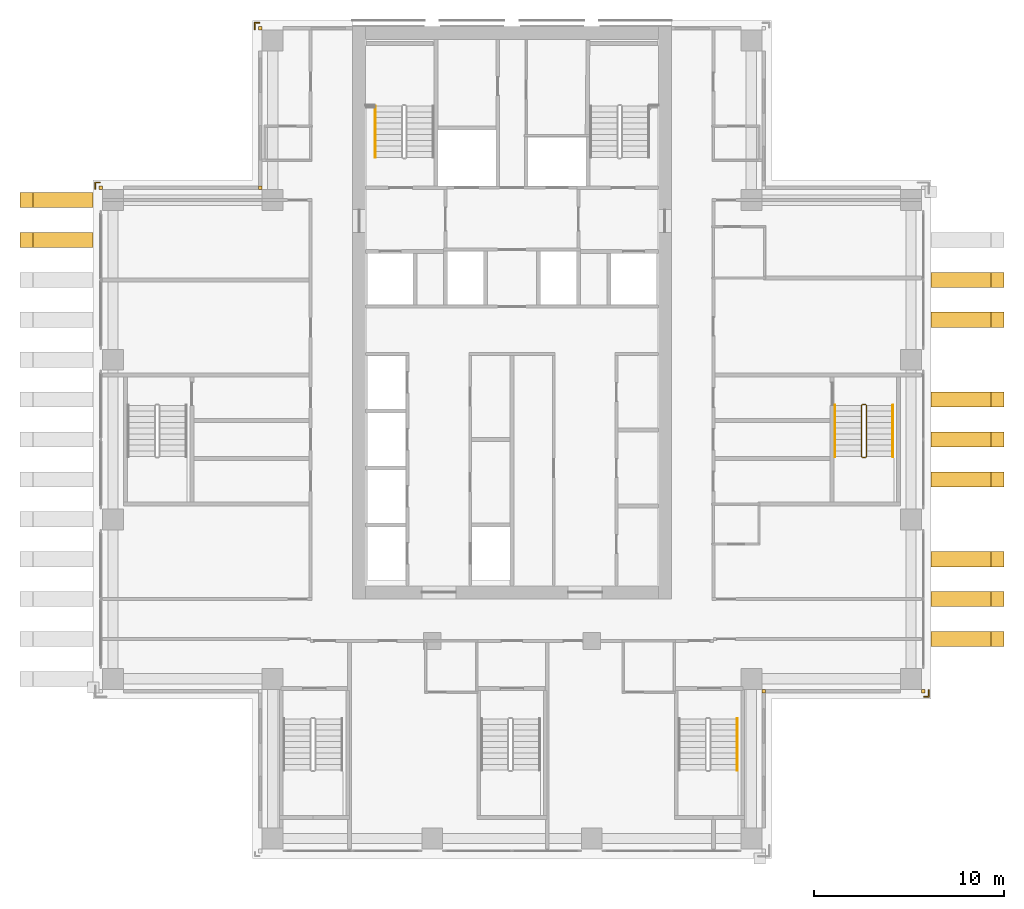
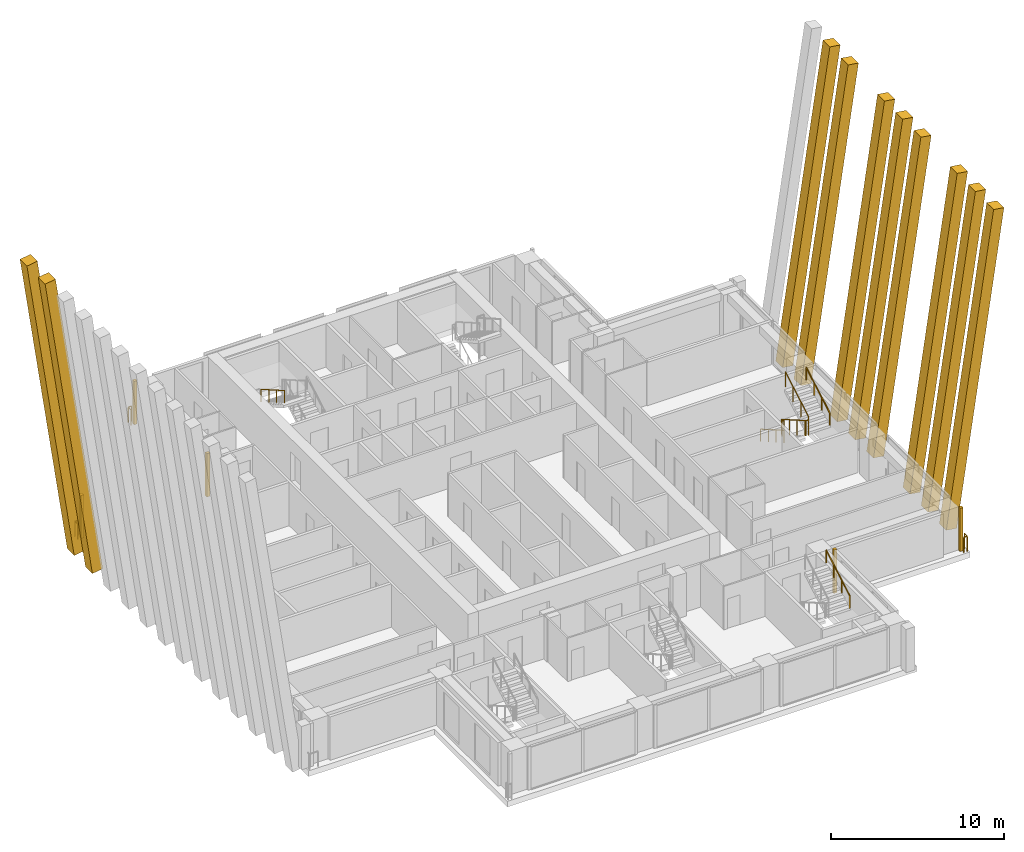
# One storey, part 14 of 15: 15 coverings, 8 railings.
"""IFC4 building model written with IfcOpenShell, lengths in metres."""

import ifcopenshell
import ifcopenshell.guid

model = None  # the IFC model being written
_history = None  # IfcOwnerHistory: only IFC2X3 demands one
_inside = {}  # id of a spatial element -> (the spatial element, [elements in it])
_under = {}  # id of a project, library or spatial element -> (it, [spatial elements below it])
_declared = {}  # id of a project -> (the project, [libraries it declares])
_typed = {}  # id of a type object -> (the type object, [elements of that type])
_made_of = {}  # id of a material, layer set ... -> (it, [elements and type objects made of it])


def new_model(schema):
    """Start an empty IFC model of exactly this schema.

    Asked for "IFC4X3", IfcOpenShell would pick the latest addendum, in which some entities
    have other attributes; the version numbers below select the first issue.
    IFC2X3 requires an IfcOwnerHistory on every rooted entity: one is made here for all.
    """
    global model, _history
    if schema == "IFC4X3":
        model = ifcopenshell.file(schema_version=(4, 3, 0, 0))
    else:
        model = ifcopenshell.file(schema=schema)
    _inside.clear()
    _under.clear()
    _declared.clear()
    _typed.clear()
    _made_of.clear()
    _history = None
    if model.schema == "IFC2X3":
        org = make("IfcOrganization", Name="unknown")
        user = make(
            "IfcPersonAndOrganization",
            ThePerson=make("IfcPerson", FamilyName="unknown"),
            TheOrganization=org,
        )
        app = make(
            "IfcApplication",
            ApplicationDeveloper=org,
            Version="unknown",
            ApplicationFullName="unknown",
            ApplicationIdentifier="unknown",
        )
        _history = make(
            "IfcOwnerHistory",
            OwningUser=user,
            OwningApplication=app,
            ChangeAction="ADDED",
            CreationDate=0,
        )
    return model


def make(cls, **values):
    """One entity of the class cls with the attributes given. An attribute that is None is left unset."""
    return model.create_entity(
        cls, **{name: value for name, value in values.items() if value is not None}
    )


def rooted(cls, **values):
    """An entity with a GlobalId (a new one), such as an element, a storey or a relation."""
    return make(cls, GlobalId=ifcopenshell.guid.new(), OwnerHistory=_history, **values)


def si_unit(unit_type, name, prefix=None):
    """IfcSIUnit, for example si_unit("LENGTHUNIT", "METRE", prefix="MILLI")."""
    return make("IfcSIUnit", UnitType=unit_type, Prefix=prefix, Name=name)


def assignment(units):
    """IfcUnitAssignment: the units of a project."""
    return None if units is None else make("IfcUnitAssignment", Units=units)


def point(xyz):
    """IfcCartesianPoint."""
    return None if xyz is None else make("IfcCartesianPoint", Coordinates=xyz)


def direction(xyz):
    """IfcDirection."""
    return None if xyz is None else make("IfcDirection", DirectionRatios=xyz)


def frame(location, z_axis=None, x_axis=None):
    """IfcAxis2Placement3D, a coordinate frame: its origin and axes. An axis left out is left unset."""
    return make(
        "IfcAxis2Placement3D",
        Location=point(location),
        Axis=direction(z_axis),
        RefDirection=direction(x_axis),
    )


def frame_2d(location, x_axis=None):
    """IfcAxis2Placement2D, a coordinate frame in the plane: its origin and x axis."""
    return make(
        "IfcAxis2Placement2D", Location=point(location), RefDirection=direction(x_axis)
    )


def origin():
    """The frame at (0, 0, 0) with its axes left unset."""
    return frame((0.0, 0.0, 0.0))


def origin_2d():
    """The frame at (0, 0) in the plane with its x axis left unset."""
    return frame_2d((0.0, 0.0))


def place(relative_to, where):
    """IfcLocalPlacement: puts the frame where relative to a parent placement (None: the world)."""
    return make(
        "IfcLocalPlacement", PlacementRelTo=relative_to, RelativePlacement=where
    )


def context(
    kind, dimensions, precision=None, world=None, true_north=None, identifier=None
):
    """IfcGeometricRepresentationContext, for example the 3D "Model" context."""
    return make(
        "IfcGeometricRepresentationContext",
        ContextIdentifier=identifier,
        ContextType=kind,
        CoordinateSpaceDimension=dimensions,
        Precision=precision,
        WorldCoordinateSystem=world,
        TrueNorth=true_north,
    )


def subcontext(parent, identifier, kind, view, scale=None):
    """IfcGeometricRepresentationSubContext, for example "Body" below "Model"."""
    return make(
        "IfcGeometricRepresentationSubContext",
        ContextIdentifier=identifier,
        ContextType=kind,
        ParentContext=parent,
        TargetScale=scale,
        TargetView=view,
    )


def project(units=None, contexts=None):
    """IfcProject with its units and contexts."""
    return rooted(
        "IfcProject",
        Name="project",
        RepresentationContexts=contexts,
        UnitsInContext=assignment(units),
    )


def spatial(cls, under=None, at=None, **own):
    """A site, building, storey or space (cls), placed at a placement, below another one or the project."""
    s = rooted(cls, ObjectPlacement=at, **own)
    if under is not None:
        _under.setdefault(under.id(), (under, []))[1].append(s)
    return s


def polyline(points):
    """IfcPolyline through the points."""
    return make("IfcPolyline", Points=[point(p) for p in points])


def profile(cls, at=None, kind="AREA", **sizes):
    """A parametric profile (cls). Its sizes go by their IFC names, for example OverallWidth=200.0."""
    return make(cls, ProfileType=kind, Position=at, **sizes)


def rectangle(**sizes):
    """IfcRectangleProfileDef."""
    return profile("IfcRectangleProfileDef", **sizes)


def outline(outer, holes=None, kind="AREA"):
    """IfcArbitraryClosedProfileDef: a profile drawn as a closed curve; with holes, ...WithVoids."""
    if holes is None:
        return make("IfcArbitraryClosedProfileDef", ProfileType=kind, OuterCurve=outer)
    return make(
        "IfcArbitraryProfileDefWithVoids",
        ProfileType=kind,
        OuterCurve=outer,
        InnerCurves=holes,
    )


def extrude(swept, where, along, depth):
    """IfcExtrudedAreaSolid: the profile swept, set in the frame where, extruded along a direction by depth."""
    return make(
        "IfcExtrudedAreaSolid",
        SweptArea=swept,
        Position=where,
        ExtrudedDirection=direction(along),
        Depth=depth,
    )


def shape(context_of_items, identifier, shape_type, items):
    """IfcShapeRepresentation: the items that make up one representation, for example the "Body"."""
    return make(
        "IfcShapeRepresentation",
        ContextOfItems=context_of_items,
        RepresentationIdentifier=identifier,
        RepresentationType=shape_type,
        Items=items,
    )


def material(Name=None, Category=None):
    """IfcMaterial."""
    return make("IfcMaterial", Name=Name, Category=Category)


def material_profile(
    of_material, cross_section, Name=None, Category=None, Priority=None
):
    """IfcMaterialProfile: a cross section and its material."""
    return make(
        "IfcMaterialProfile",
        Name=Name,
        Material=of_material,
        Profile=cross_section,
        Priority=Priority,
        Category=Category,
    )


def profile_set(profiles, Name=None, composite=None):
    """IfcMaterialProfileSet."""
    return make(
        "IfcMaterialProfileSet",
        Name=Name,
        MaterialProfiles=profiles,
        CompositeProfile=composite,
    )


def made_of(thing, what):
    """Note that an element or type object is made of a material, layer set ...; save() writes the relation."""
    if what is not None:
        _made_of.setdefault(what.id(), (what, []))[1].append(thing)
    return thing


def type_object(cls, material=None, **own):
    """A type object (cls), such as IfcWallType, which elements share."""
    return made_of(rooted(cls, **own), material)


def element(
    cls,
    number,
    at=None,
    inside=None,
    cuts=None,
    type_object=None,
    material=None,
    context=None,
    identifier="Body",
    shape_type=None,
    held_by="IfcProductDefinitionShape",
    body=None,
    shapes=None,
    **own,
):
    """One element of the class cls, such as IfcWall. Its Tag is "e" and its number.

    at: its placement. inside: the storey or other place that contains it. cuts: it is an
    opening in that element (IfcRelVoidsElement). A single representation is given by context,
    identifier, shape_type and body (its items); several are given by shapes. held_by: the class
    of the entity that holds the representations. save() writes the other relations.
    """
    e = rooted(cls, Tag="e%d" % number, ObjectPlacement=at, **own)
    if body is not None:
        shapes = [shape(context, identifier, shape_type, body)]
    if shapes is not None:
        e.Representation = make(held_by, Representations=shapes)
    if inside is not None:
        _inside.setdefault(inside.id(), (inside, []))[1].append(e)
    if cuts is not None:
        rooted(
            "IfcRelVoidsElement", RelatingBuildingElement=cuts, RelatedOpeningElement=e
        )
    if type_object is not None:
        _typed.setdefault(type_object.id(), (type_object, []))[1].append(e)
    return made_of(e, material)


def aggregate(whole, parts):
    """IfcRelAggregates: a whole, such as a stair, and the parts it consists of."""
    return rooted("IfcRelAggregates", RelatingObject=whole, RelatedObjects=parts)


def save(model, path):
    """Write the relations noted so far, then the file.

    IfcRelAggregates (storeys below a building ...), IfcRelContainedInSpatialStructure (elements
    in a storey), IfcRelDefinesByType, IfcRelAssociatesMaterial and IfcRelDeclares: one each for
    every whole, place, type object, material and project.
    """
    for whole, parts in _under.values():
        aggregate(whole, parts)
    for where, things in _inside.values():
        rooted(
            "IfcRelContainedInSpatialStructure",
            RelatedElements=things,
            RelatingStructure=where,
        )
    for kind, things in _typed.values():
        rooted("IfcRelDefinesByType", RelatedObjects=things, RelatingType=kind)
    for what, things in _made_of.values():
        rooted("IfcRelAssociatesMaterial", RelatedObjects=things, RelatingMaterial=what)
    for by, libraries in _declared.values():
        rooted("IfcRelDeclares", RelatingContext=by, RelatedDefinitions=libraries)
    model.write(path)


model = new_model("IFC4")

# Units and contexts
model_context = context("Model", 3, precision=1e-05, world=origin(), true_north=direction((0.0, 1.0)))
body_context = subcontext(model_context, "Body", "Model", "MODEL_VIEW")
ifc_project = project(units=[si_unit("LENGTHUNIT", "METRE"), si_unit("AREAUNIT", "SQUARE_METRE"), si_unit("VOLUMEUNIT", "CUBIC_METRE"), si_unit("PLANEANGLEUNIT", "RADIAN"), si_unit("MASSUNIT", "GRAM", prefix="KILO")], contexts=[model_context])

# Site, building, storey
site_placement = place(None, origin())
site = spatial("IfcSite", under=ifc_project, at=site_placement, CompositionType="ELEMENT")
building_placement = place(site_placement, origin())
building = spatial("IfcBuilding", under=site, at=building_placement, Name="Vermilion Ogive Tower", CompositionType="ELEMENT")
storey_placement = place(building_placement, frame((0.0, 0.0, 153.800048828125)))
storey = spatial("IfcBuildingStorey", under=building, at=storey_placement, Name="L39", CompositionType="ELEMENT", Elevation=153.800048828125)

# Railings
ifc_material_1 = material(Name="Stainless steel", Category="steel")
railing_type_1 = type_object("IfcRailingType", Name="Slab edge guard SG1", PredefinedType="GUARDRAIL", material=ifc_material_1)
railing_1_placement = place(storey_placement, frame((-21.929931640625, 13.199951171875, 0.0)))
element("IfcRailing", 1, at=railing_1_placement, inside=storey, type_object=railing_type_1, Name="L39 slab corner guard", PredefinedType="GUARDRAIL", context=body_context, shape_type="SweptSolid", body=[
    extrude(rectangle(XDim=0.050048828125, YDim=0.050048828125, at=origin_2d()), frame((0.0, 0.0, 1.0751953125), z_axis=(0.0, 1.0, 0.0), x_axis=(-1.0, 0.0, 0.0)), (0.0, 0.0, 1.0), 0.330078125),
    extrude(rectangle(XDim=0.050048828125, YDim=0.050048828125, at=origin_2d()), frame((0.0, 0.330078125, 1.0751953125), z_axis=(1.0, 0.0, 0.0), x_axis=(0.0, 1.0, 0.0)), (0.0, 0.0, 1.0), 0.22998046875),
    extrude(rectangle(XDim=0.050048828125, YDim=0.050048828125, at=origin_2d()), origin(), (0.0, 0.0, 1.0), 1.050048828125),
    extrude(rectangle(XDim=0.050048828125, YDim=0.050048828125, at=origin_2d()), frame((0.0, 0.330078125, 0.0)), (0.0, 0.0, 1.0), 1.050048828125),
    extrude(rectangle(XDim=0.050048828125, YDim=0.050048828125, at=origin_2d()), frame((0.22998046875, 0.330078125, 0.0)), (0.0, 0.0, 1.0), 1.050048828125),
])
railing_2_placement = place(storey_placement, frame((-13.530029296875, 21.60009765625, 0.0)))
element("IfcRailing", 2, at=railing_2_placement, inside=storey, type_object=railing_type_1, Name="L39 slab corner guard", PredefinedType="GUARDRAIL", context=body_context, shape_type="SweptSolid", body=[
    extrude(rectangle(XDim=0.050048828125, YDim=0.050048828125, at=origin_2d()), frame((0.0, 0.0, 1.0751953125), z_axis=(0.0, 1.0, 0.0), x_axis=(-1.0, 0.0, 0.0)), (0.0, 0.0, 1.0), 0.329833984375),
    extrude(rectangle(XDim=0.050048828125, YDim=0.050048828125, at=origin_2d()), frame((0.0, 0.329833984375, 1.0751953125), z_axis=(1.0, 0.0, 0.0), x_axis=(0.0, 1.0, 0.0)), (0.0, 0.0, 1.0), 0.22998046875),
    extrude(rectangle(XDim=0.050048828125, YDim=0.050048828125, at=origin_2d()), origin(), (0.0, 0.0, 1.0), 1.050048828125),
    extrude(rectangle(XDim=0.050048828125, YDim=0.050048828125, at=origin_2d()), frame((0.0, 0.329833984375, 0.0)), (0.0, 0.0, 1.0), 1.050048828125),
    extrude(rectangle(XDim=0.050048828125, YDim=0.050048828125, at=origin_2d()), frame((0.22998046875, 0.329833984375, 0.0)), (0.0, 0.0, 1.0), 1.050048828125),
])
railing_3_placement = place(storey_placement, frame((21.929931640625, -13.199951171875, 0.0)))
element("IfcRailing", 3, at=railing_3_placement, inside=storey, type_object=railing_type_1, Name="L39 slab corner guard", PredefinedType="GUARDRAIL", context=body_context, shape_type="SweptSolid", body=[
    extrude(rectangle(XDim=0.050048828125, YDim=0.050048828125, at=origin_2d()), frame((0.0, 0.0, 1.0751953125), z_axis=(0.0, -1.0, 0.0), x_axis=(1.0, 0.0, 0.0)), (0.0, 0.0, 1.0), 0.330078125),
    extrude(rectangle(XDim=0.050048828125, YDim=0.050048828125, at=origin_2d()), frame((0.0, -0.330078125, 1.0751953125), z_axis=(-1.0, 0.0, 0.0), x_axis=(0.0, -1.0, 0.0)), (0.0, 0.0, 1.0), 0.22998046875),
    extrude(rectangle(XDim=0.050048828125, YDim=0.050048828125, at=origin_2d()), origin(), (0.0, 0.0, 1.0), 1.050048828125),
    extrude(rectangle(XDim=0.050048828125, YDim=0.050048828125, at=origin_2d()), frame((0.0, -0.330078125, 0.0)), (0.0, 0.0, 1.0), 1.050048828125),
    extrude(rectangle(XDim=0.050048828125, YDim=0.050048828125, at=origin_2d()), frame((-0.22998046875, -0.330078125, 0.0)), (0.0, 0.0, 1.0), 1.050048828125),
])
ifc_material_2 = material(Name="Steel S355 painted", Category="steel")
railing_type_2 = type_object("IfcRailingType", Name="Stair guard 1100", PredefinedType="GUARDRAIL", material=ifc_material_2)
railing_4_placement = place(storey_placement, frame((18.60009765625, 1.85009765625, 0.0)))
element("IfcRailing", 4, at=railing_4_placement, inside=storey, type_object=railing_type_2, Name="L39 ST8 stair guard 4", PredefinedType="GUARDRAIL", context=body_context, shape_type="SweptSolid", body=[
    extrude(rectangle(XDim=0.048095703125, YDim=0.048095703125, at=origin_2d()), frame((0.0, 0.0, 1.076171875), z_axis=(-1.0, 0.0, 0.0), x_axis=(0.0, -1.0, 0.0)), (0.0, 0.0, 1.0), 0.150146484375),
    extrude(rectangle(XDim=0.048095703125, YDim=0.048095703125, at=origin_2d()), frame((-0.150146484375, 0.0, 1.076171875), z_axis=(-0.268603158521, -0.268603158521, 0.925043072762), x_axis=(0.707106781187, -0.707106781187, 0.0)), (0.0, 0.0, 1.0), 0.186279296875),
    extrude(rectangle(XDim=0.048095703125, YDim=0.048095703125, at=origin_2d()), frame((-0.2001953125, -0.050048828125, 1.24853515625), z_axis=(0.0, -0.866903762492, 0.498475542607), x_axis=(1.0, 0.0, 0.0)), (0.0, 0.0, 1.0), 3.114501953125),
    extrude(rectangle(XDim=0.048095703125, YDim=0.048095703125, at=origin_2d()), frame((-0.2001953125, -2.75, 2.80078125), z_axis=(0.707106781187, -0.707106781187, 0.0), x_axis=(0.707106781187, 0.707106781187, 0.0)), (0.0, 0.0, 1.0), 0.07080078125),
    extrude(rectangle(XDim=0.048095703125, YDim=0.048095703125, at=origin_2d()), frame((-0.150146484375, -2.800048828125, 2.80078125), z_axis=(1.0, 0.0, 0.0), x_axis=(0.0, 1.0, 0.0)), (0.0, 0.0, 1.0), 0.150146484375),
    extrude(rectangle(XDim=0.048095703125, YDim=0.048095703125, at=origin_2d()), frame((0.0, -2.800048828125, 2.80078125), z_axis=(0.267062837333, 0.268371968888, 0.925556009775), x_axis=(-0.708833529934, 0.705375805398, 0.0)), (0.0, 0.0, 1.0), 0.1865234375),
    extrude(rectangle(XDim=0.048095703125, YDim=0.048095703125, at=origin_2d()), frame((0.0498046875, -2.75, 2.9736328125), z_axis=(0.0, 0.866903762492, 0.498475542607), x_axis=(-1.0, 0.0, 0.0)), (0.0, 0.0, 1.0), 3.114501953125),
    extrude(rectangle(XDim=0.0419921875, YDim=0.0419921875, at=origin_2d()), origin(), (0.0, 0.0, 1.0), 1.052001953125),
    extrude(rectangle(XDim=0.0419921875, YDim=0.0419921875, at=origin_2d()), frame((-0.150146484375, 0.0, 0.0)), (0.0, 0.0, 1.0), 1.052001953125),
    extrude(rectangle(XDim=0.0419921875, YDim=0.0419921875, at=origin_2d()), frame((-0.2001953125, -0.050048828125, 0.17236328125)), (0.0, 0.0, 1.0), 1.052001953125),
    extrude(rectangle(XDim=0.0419921875, YDim=0.0419921875, at=origin_2d()), frame((-0.2001953125, -0.949951171875, 0.68994140625)), (0.0, 0.0, 1.0), 1.052001953125),
    extrude(rectangle(XDim=0.0419921875, YDim=0.0419921875, at=origin_2d()), frame((-0.2001953125, -1.85009765625, 1.207275390625)), (0.0, 0.0, 1.0), 1.052001953125),
    extrude(rectangle(XDim=0.0419921875, YDim=0.0419921875, at=origin_2d()), frame((-0.2001953125, -2.75, 1.724853515625)), (0.0, 0.0, 1.0), 1.052001953125),
    extrude(rectangle(XDim=0.0419921875, YDim=0.0419921875, at=origin_2d()), frame((-0.150146484375, -2.800048828125, 1.724853515625)), (0.0, 0.0, 1.0), 1.052001953125),
    extrude(rectangle(XDim=0.0419921875, YDim=0.0419921875, at=origin_2d()), frame((0.0, -2.800048828125, 1.724853515625)), (0.0, 0.0, 1.0), 1.052001953125),
    extrude(rectangle(XDim=0.0419921875, YDim=0.0419921875, at=origin_2d()), frame((0.0498046875, -2.75, 1.8974609375)), (0.0, 0.0, 1.0), 1.052001953125),
    extrude(rectangle(XDim=0.0419921875, YDim=0.0419921875, at=origin_2d()), frame((0.0498046875, -1.85009765625, 2.4150390625)), (0.0, 0.0, 1.0), 1.052001953125),
    extrude(rectangle(XDim=0.0419921875, YDim=0.0419921875, at=origin_2d()), frame((0.0498046875, -0.949951171875, 2.932373046875)), (0.0, 0.0, 1.0), 1.052001953125),
    extrude(rectangle(XDim=0.0419921875, YDim=0.0419921875, at=origin_2d()), frame((0.0498046875, -0.050048828125, 3.449951171875)), (0.0, 0.0, 1.0), 1.052001953125),
])
ifc_material_3 = material(Name="Stainless steel", Category="steel")
railing_type_3 = type_object("IfcRailingType", Name="Stair handrail 900", PredefinedType="HANDRAIL", material=ifc_material_3)
railing_5_placement = place(storey_placement, frame((-7.199951171875, 17.550048828125, 1.8974609375)))
element("IfcRailing", 5, at=railing_5_placement, inside=storey, type_object=railing_type_3, Name="L39 ST1 stair handrail 2", PredefinedType="HANDRAIL", context=body_context, shape_type="SweptSolid", body=[
    extrude(rectangle(XDim=0.048095703125, YDim=0.048095703125, at=origin_2d()), frame((0.0, 0.0, 0.8759765625), z_axis=(0.0, -0.866903762492, 0.498475542607), x_axis=(1.0, 0.0, 0.0)), (0.0, 0.0, 1.0), 3.114501953125),
    extrude(rectangle(XDim=0.0419921875, YDim=0.0419921875, at=origin_2d()), origin(), (0.0, 0.0, 1.0), 0.851806640625),
    extrude(rectangle(XDim=0.0419921875, YDim=0.0419921875, at=origin_2d()), frame((0.0, -0.89990234375, 0.517578125)), (0.0, 0.0, 1.0), 0.851806640625),
    extrude(rectangle(XDim=0.0419921875, YDim=0.0419921875, at=origin_2d()), frame((0.0, -1.800048828125, 1.034912109375)), (0.0, 0.0, 1.0), 0.851806640625),
    extrude(rectangle(XDim=0.0419921875, YDim=0.0419921875, at=origin_2d()), frame((0.0, -2.699951171875, 1.552490234375)), (0.0, 0.0, 1.0), 0.851806640625),
])
railing_6_placement = place(storey_placement, frame((11.85009765625, -17.39990234375, 1.8974609375)))
element("IfcRailing", 6, at=railing_6_placement, inside=storey, type_object=railing_type_3, Name="L39 ST5 stair handrail 2", PredefinedType="HANDRAIL", context=body_context, shape_type="SweptSolid", body=[
    extrude(rectangle(XDim=0.048095703125, YDim=0.048095703125, at=origin_2d()), frame((0.0, 0.0, 0.8759765625), z_axis=(0.0, 0.866903762492, 0.498475542607), x_axis=(-1.0, 0.0, 0.0)), (0.0, 0.0, 1.0), 3.114501953125),
    extrude(rectangle(XDim=0.0419921875, YDim=0.0419921875, at=origin_2d()), origin(), (0.0, 0.0, 1.0), 0.851806640625),
    extrude(rectangle(XDim=0.0419921875, YDim=0.0419921875, at=origin_2d()), frame((0.0, 0.89990234375, 0.517578125)), (0.0, 0.0, 1.0), 0.851806640625),
    extrude(rectangle(XDim=0.0419921875, YDim=0.0419921875, at=origin_2d()), frame((0.0, 1.800048828125, 1.034912109375)), (0.0, 0.0, 1.0), 0.851806640625),
    extrude(rectangle(XDim=0.0419921875, YDim=0.0419921875, at=origin_2d()), frame((0.0, 2.699951171875, 1.552490234375)), (0.0, 0.0, 1.0), 0.851806640625),
])
railing_7_placement = place(storey_placement, frame((17.0, 1.800048828125, 0.17236328125)))
element("IfcRailing", 7, at=railing_7_placement, inside=storey, type_object=railing_type_3, Name="L39 ST8 stair handrail 1", PredefinedType="HANDRAIL", context=body_context, shape_type="SweptSolid", body=[
    extrude(rectangle(XDim=0.048095703125, YDim=0.048095703125, at=origin_2d()), frame((0.0, 0.0, 0.8759765625), z_axis=(0.0, -0.866903762492, 0.498475542607), x_axis=(1.0, 0.0, 0.0)), (0.0, 0.0, 1.0), 3.114501953125),
    extrude(rectangle(XDim=0.0419921875, YDim=0.0419921875, at=origin_2d()), origin(), (0.0, 0.0, 1.0), 0.851806640625),
    extrude(rectangle(XDim=0.0419921875, YDim=0.0419921875, at=origin_2d()), frame((0.0, -0.89990234375, 0.517578125)), (0.0, 0.0, 1.0), 0.851806640625),
    extrude(rectangle(XDim=0.0419921875, YDim=0.0419921875, at=origin_2d()), frame((0.0, -1.800048828125, 1.034912109375)), (0.0, 0.0, 1.0), 0.851806640625),
    extrude(rectangle(XDim=0.0419921875, YDim=0.0419921875, at=origin_2d()), frame((0.0, -2.699951171875, 1.552490234375)), (0.0, 0.0, 1.0), 0.851806640625),
])
railing_8_placement = place(storey_placement, frame((20.050048828125, -0.89990234375, 1.8974609375)))
element("IfcRailing", 8, at=railing_8_placement, inside=storey, type_object=railing_type_3, Name="L39 ST8 stair handrail 2", PredefinedType="HANDRAIL", context=body_context, shape_type="SweptSolid", body=[
    extrude(rectangle(XDim=0.048095703125, YDim=0.048095703125, at=origin_2d()), frame((0.0, 0.0, 0.8759765625), z_axis=(0.0, 0.866903762492, 0.498475542607), x_axis=(-1.0, 0.0, 0.0)), (0.0, 0.0, 1.0), 3.114501953125),
    extrude(rectangle(XDim=0.0419921875, YDim=0.0419921875, at=origin_2d()), origin(), (0.0, 0.0, 1.0), 0.851806640625),
    extrude(rectangle(XDim=0.0419921875, YDim=0.0419921875, at=origin_2d()), frame((0.0, 0.89990234375, 0.517578125)), (0.0, 0.0, 1.0), 0.851806640625),
    extrude(rectangle(XDim=0.0419921875, YDim=0.0419921875, at=origin_2d()), frame((0.0, 1.800048828125, 1.034912109375)), (0.0, 0.0, 1.0), 0.851806640625),
    extrude(rectangle(XDim=0.0419921875, YDim=0.0419921875, at=origin_2d()), frame((0.0, 2.699951171875, 1.552490234375)), (0.0, 0.0, 1.0), 0.851806640625),
])

# Coverings
ifc_material_4 = material(Name="Stone cladding", Category="masonry")
ifc_material_profile = material_profile(ifc_material_4, rectangle(XDim=0.800048828125, YDim=0.699951171875, at=origin_2d()), Name="STONE 800x700")
ifc_profile_set = profile_set([ifc_material_profile], Name="Stone cladding")
covering_type_1 = type_object("IfcCoveringType", Name="Stone flare fin", PredefinedType="CLADDING", material=ifc_profile_set)
for number, where, z_axis, x_axis, name in (
    (9, (22.396240234375, -10.5, -0.199951171875), (0.145142051612, 0.0, 0.989410827136), (0.0, 1.0, 0.0), "Stone flare fin EU01"),
    (10, (22.396240234375, -8.39990234375, -0.199951171875), (0.145142051612, 0.0, 0.989410827136), (0.0, 1.0, 0.0), "Stone flare fin EU02"),
    (11, (22.396240234375, -6.300048828125, -0.199951171875), (0.145142051612, 0.0, 0.989410827136), (0.0, 1.0, 0.0), "Stone flare fin EU03"),
    (12, (22.396240234375, -2.10009765625, -0.199951171875), (0.145142051612, 0.0, 0.989410827136), (0.0, 1.0, 0.0), "Stone flare fin EU04"),
    (13, (22.396240234375, 0.0, -0.199951171875), (0.145142051612, 0.0, 0.989410827136), (0.0, 1.0, 0.0), "Stone flare fin EU05"),
    (14, (22.396240234375, 2.10009765625, -0.199951171875), (0.145142051612, 0.0, 0.989410827136), (0.0, 1.0, 0.0), "Stone flare fin EU06"),
    (15, (22.396240234375, 6.300048828125, -0.199951171875), (0.145142051612, 0.0, 0.989410827136), (0.0, 1.0, 0.0), "Stone flare fin EU07"),
    (16, (22.396240234375, 8.39990234375, -0.199951171875), (0.145142051612, 0.0, 0.989410827136), (0.0, 1.0, 0.0), "Stone flare fin EU08"),
    (17, (-22.396240234375, 10.5, -0.199951171875), (-0.145142051612, 0.0, 0.989410827136), (0.0, -1.0, 0.0), "Stone flare fin WU12"),
    (18, (-22.396240234375, 12.60009765625, -0.199951171875), (-0.145142051612, 0.0, 0.989410827136), (0.0, -1.0, 0.0), "Stone flare fin WU13"),
):
    element("IfcCovering", number, at=place(storey_placement, frame(where, z_axis=z_axis, x_axis=x_axis)), inside=storey, type_object=covering_type_1, Name=name, PredefinedType="CLADDING", context=body_context, shape_type="SweptSolid", body=[
        extrude(rectangle(XDim=0.800048828125, YDim=0.699951171875, at=origin_2d()), origin(), (0.0, 0.0, 1.0), 21.72900390625),
    ])
ifc_material_5 = material(Name="Stone cladding", Category="masonry")
covering_type_2 = type_object("IfcCoveringType", Name="Stone pier", PredefinedType="CLADDING", material=ifc_material_5)
covering_1_placement = place(storey_placement, origin())
element("IfcCovering", 19, at=covering_1_placement, inside=storey, type_object=covering_type_2, Name="Stone corner pier X1E1", PredefinedType="CLADDING", context=body_context, shape_type="SweptSolid", body=[
    extrude(outline(polyline([(13.14990234375, -13.14990234375), (13.35009765625, -13.14990234375), (13.35009765625, -13.35009765625), (13.14990234375, -13.35009765625), (13.14990234375, -13.14990234375)])), origin(), (0.0, 0.0, 1.0), 3.050048828125),
])
covering_2_placement = place(storey_placement, origin())
element("IfcCovering", 20, at=covering_2_placement, inside=storey, type_object=covering_type_2, Name="Stone corner pier X2E1", PredefinedType="CLADDING", context=body_context, shape_type="SweptSolid", body=[
    extrude(outline(polyline([(21.550048828125, -13.35009765625), (21.550048828125, -13.14990234375), (21.75, -13.14990234375), (21.75, -13.35009765625), (21.550048828125, -13.35009765625)])), origin(), (0.0, 0.0, 1.0), 3.050048828125),
])
covering_3_placement = place(storey_placement, origin())
element("IfcCovering", 21, at=covering_3_placement, inside=storey, type_object=covering_type_2, Name="Stone corner pier N2E1", PredefinedType="CLADDING", context=body_context, shape_type="SweptSolid", body=[
    extrude(outline(polyline([(-13.14990234375, 21.75), (-13.14990234375, 21.550048828125), (-13.35009765625, 21.550048828125), (-13.35009765625, 21.75), (-13.14990234375, 21.75)])), origin(), (0.0, 0.0, 1.0), 3.050048828125),
])
covering_4_placement = place(storey_placement, origin())
element("IfcCovering", 22, at=covering_4_placement, inside=storey, type_object=covering_type_2, Name="Stone corner pier X5E1", PredefinedType="CLADDING", context=body_context, shape_type="SweptSolid", body=[
    extrude(outline(polyline([(-13.14990234375, 13.14990234375), (-13.35009765625, 13.14990234375), (-13.35009765625, 13.35009765625), (-13.14990234375, 13.35009765625), (-13.14990234375, 13.14990234375)])), origin(), (0.0, 0.0, 1.0), 3.050048828125),
])
covering_5_placement = place(storey_placement, origin())
element("IfcCovering", 23, at=covering_5_placement, inside=storey, type_object=covering_type_2, Name="Stone corner pier X6E1", PredefinedType="CLADDING", context=body_context, shape_type="SweptSolid", body=[
    extrude(outline(polyline([(-21.550048828125, 13.35009765625), (-21.550048828125, 13.14990234375), (-21.75, 13.14990234375), (-21.75, 13.35009765625), (-21.550048828125, 13.35009765625)])), origin(), (0.0, 0.0, 1.0), 3.050048828125),
])

save(model, "model.ifc")
